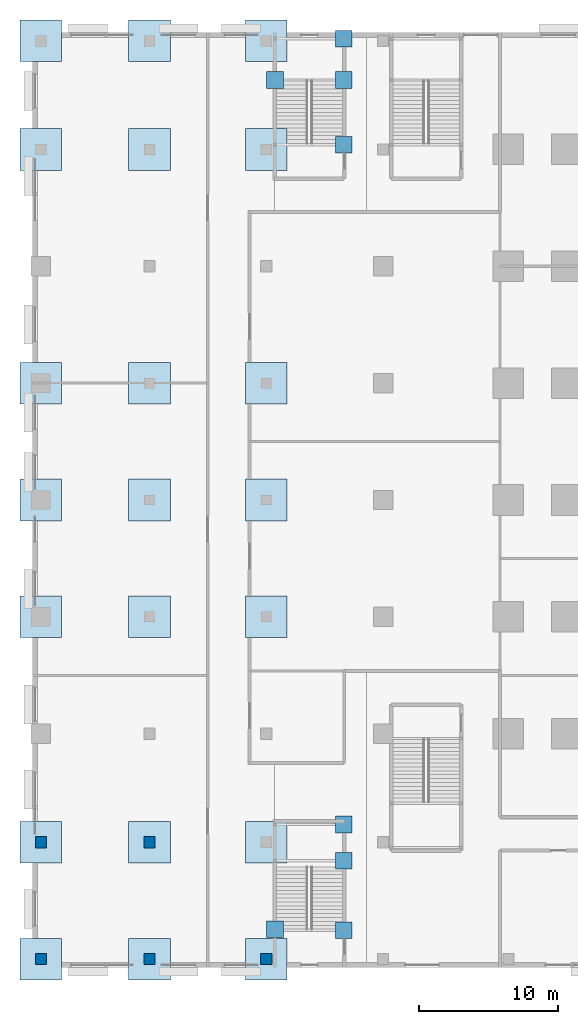
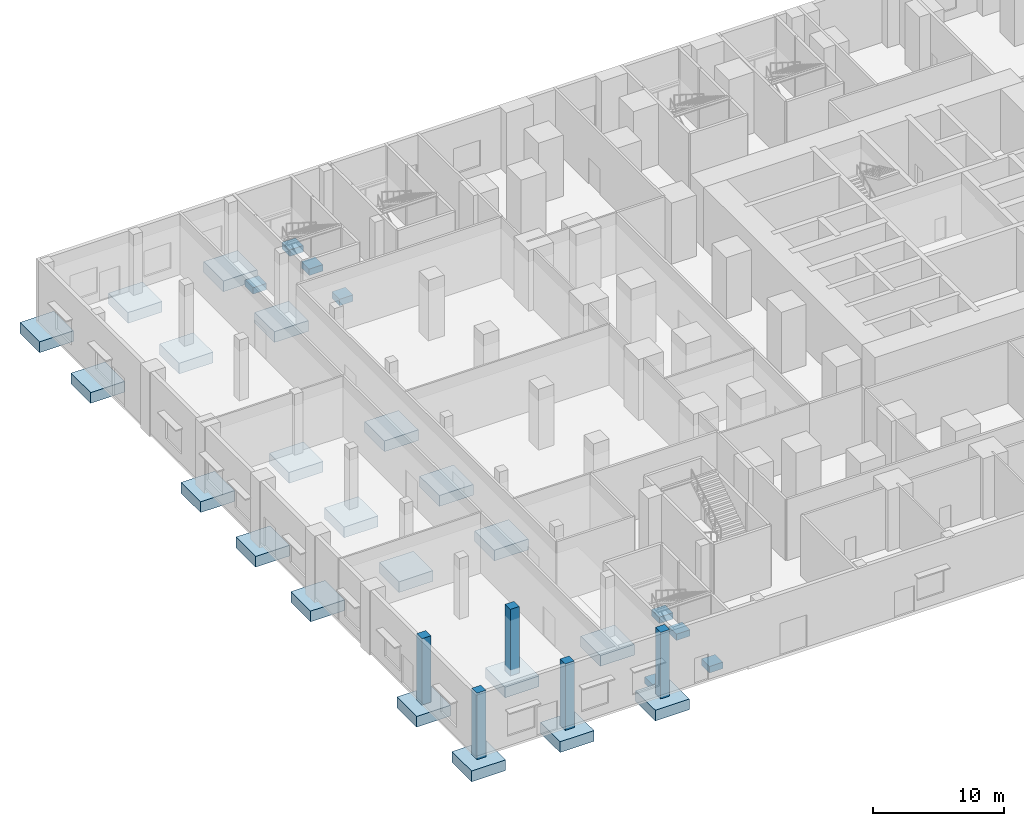
# One storey, part 1 of 26: 29 footings, 5 columns.
"""IFC4 building model written with IfcOpenShell, lengths in metres."""

from ifc_helpers import new_model, si_unit, direction, frame, origin, origin_2d, place, context, subcontext, project, spatial, rectangle, extrude, material, material_profile, profile_set, type_object, element, save


model = new_model("IFC4")

# Units and contexts
model_context = context("Model", 3, precision=1e-05, world=origin(), true_north=direction((0.0, 1.0)))
body_context = subcontext(model_context, "Body", "Model", "MODEL_VIEW")
ifc_project = project(units=[si_unit("LENGTHUNIT", "METRE"), si_unit("AREAUNIT", "SQUARE_METRE"), si_unit("VOLUMEUNIT", "CUBIC_METRE"), si_unit("PLANEANGLEUNIT", "RADIAN"), si_unit("MASSUNIT", "GRAM", prefix="KILO")], contexts=[model_context])

# Site, building, storey
site_placement = place(None, origin())
site = spatial("IfcSite", under=ifc_project, at=site_placement, CompositionType="ELEMENT")
building_placement = place(site_placement, origin())
building = spatial("IfcBuilding", under=site, at=building_placement, Name="Dunama Terrace Hotel", CompositionType="ELEMENT")
storey_placement = place(building_placement, origin())
storey = spatial("IfcBuildingStorey", under=building, at=storey_placement, Name="L00", CompositionType="ELEMENT", Elevation=0.0)

# Footings
ifc_material_1 = material(Name="Concrete C40/50", Category="concrete")
footing_type_1 = type_object("IfcFootingType", Name="Pad footing 1200", PredefinedType="PAD_FOOTING", material=ifc_material_1)
for number, where, z_axis, x_axis, name in (
    (1, (-11.22509765625, 50.742431640625, -1.10009765625), (0.0, 0.0, 1.0), (1.0, 0.0, 0.0), "Pad footing under stair post P1 -11.22/+50.74"),
    (2, (-16.175048828125, 55.387451171875, -1.10009765625), (0.0, 0.0, 1.0), (1.0, 0.0, 0.0), "Pad footing under stair post P1 -16.18/+55.39"),
    (3, (-11.22509765625, 55.387451171875, -1.10009765625), (0.0, 0.0, 1.0), (1.0, 0.0, 0.0), "Pad footing under stair post P1 -11.22/+55.39"),
    (4, (-11.22509765625, 58.35009765625, -1.10009765625), (0.0, 0.0, 1.0), (1.0, 0.0, 0.0), "Pad footing under stair post P1 -11.22/+58.35"),
    (5, (-16.175048828125, -5.64990234375, -1.10009765625), (0.0, 0.0, 1.0), (1.0, 0.0, 0.0), "Pad footing under stair post P2 -16.18/-5.73"),
    (6, (-11.22509765625, -5.732421875, -1.10009765625), (0.0, 0.0, 1.0), (1.0, 0.0, 0.0), "Pad footing under stair post P2 -11.22/-5.73"),
    (7, (-11.22509765625, -0.737548828125, -1.10009765625), (0.0, 0.0, 1.0), (1.0, 0.0, 0.0), "Pad footing under stair post P2 -11.22/-0.74"),
    (8, (-11.22509765625, 1.875, -1.10009765625), (0.0, 0.0, 1.0), (1.0, 0.0, 0.0), "Pad footing under stair post P2 -11.22/+1.88"),
):
    element("IfcFooting", number, at=place(storey_placement, frame(where, z_axis=z_axis, x_axis=x_axis)), inside=storey, type_object=footing_type_1, Name=name, PredefinedType="PAD_FOOTING", context=body_context, shape_type="SweptSolid", body=[
        extrude(rectangle(XDim=1.199951171875, YDim=1.199951171875, at=origin_2d()), origin(), (0.0, 0.0, 1.0), 0.60009765625),
    ])
ifc_material_2 = material(Name="Concrete C40/50", Category="concrete")
footing_type_2 = type_object("IfcFootingType", Name="Pad footing 3000", PredefinedType="PAD_FOOTING", material=ifc_material_2)
for number, where, z_axis, x_axis, name in (
    (9, (-33.0, -7.800048828125, -1.5), (0.0, 0.0, 1.0), (1.0, 0.0, 0.0), "Pad footing under column -33.0/-7.8"),
    (10, (-33.0, 0.60009765625, -1.5), (0.0, 0.0, 1.0), (1.0, 0.0, 0.0), "Pad footing under column -33.0/+0.6"),
    (11, (-33.0, 16.800048828125, -1.5), (0.0, 0.0, 1.0), (1.0, 0.0, 0.0), "Pad footing under column -33.0/+16.8"),
    (12, (-33.0, 25.199951171875, -1.5), (0.0, 0.0, 1.0), (1.0, 0.0, 0.0), "Pad footing under column -33.0/+25.2"),
    (13, (-33.0, 33.60009765625, -1.5), (0.0, 0.0, 1.0), (1.0, 0.0, 0.0), "Pad footing under column -33.0/+33.6"),
    (14, (-33.0, 50.39990234375, -1.5), (0.0, 0.0, 1.0), (1.0, 0.0, 0.0), "Pad footing under column -33.0/+50.4"),
    (15, (-33.0, 58.199951171875, -1.5), (0.0, 0.0, 1.0), (1.0, 0.0, 0.0), "Pad footing under column -33.0/+58.2"),
    (16, (-25.199951171875, -7.800048828125, -1.5), (0.0, 0.0, 1.0), (1.0, 0.0, 0.0), "Pad footing under column -25.2/-7.8"),
    (17, (-25.199951171875, 0.60009765625, -1.5), (0.0, 0.0, 1.0), (1.0, 0.0, 0.0), "Pad footing under column -25.2/+0.6"),
    (18, (-25.199951171875, 16.800048828125, -1.5), (0.0, 0.0, 1.0), (1.0, 0.0, 0.0), "Pad footing under column -25.2/+16.8"),
    (19, (-25.199951171875, 25.199951171875, -1.5), (0.0, 0.0, 1.0), (1.0, 0.0, 0.0), "Pad footing under column -25.2/+25.2"),
    (20, (-25.199951171875, 33.60009765625, -1.5), (0.0, 0.0, 1.0), (1.0, 0.0, 0.0), "Pad footing under column -25.2/+33.6"),
    (21, (-25.199951171875, 50.39990234375, -1.5), (0.0, 0.0, 1.0), (1.0, 0.0, 0.0), "Pad footing under column -25.2/+50.4"),
    (22, (-25.199951171875, 58.199951171875, -1.5), (0.0, 0.0, 1.0), (1.0, 0.0, 0.0), "Pad footing under column -25.2/+58.2"),
    (23, (-16.800048828125, -7.800048828125, -1.5), (0.0, 0.0, 1.0), (1.0, 0.0, 0.0), "Pad footing under column -16.8/-7.8"),
    (24, (-16.800048828125, 0.60009765625, -1.5), (0.0, 0.0, 1.0), (1.0, 0.0, 0.0), "Pad footing under column -16.8/+0.6"),
    (25, (-16.800048828125, 16.800048828125, -1.5), (0.0, 0.0, 1.0), (1.0, 0.0, 0.0), "Pad footing under column -16.8/+16.8"),
    (26, (-16.800048828125, 25.199951171875, -1.5), (0.0, 0.0, 1.0), (1.0, 0.0, 0.0), "Pad footing under column -16.8/+25.2"),
    (27, (-16.800048828125, 33.60009765625, -1.5), (0.0, 0.0, 1.0), (1.0, 0.0, 0.0), "Pad footing under column -16.8/+33.6"),
    (28, (-16.800048828125, 50.39990234375, -1.5), (0.0, 0.0, 1.0), (1.0, 0.0, 0.0), "Pad footing under column -16.8/+50.4"),
    (29, (-16.800048828125, 58.199951171875, -1.5), (0.0, 0.0, 1.0), (1.0, 0.0, 0.0), "Pad footing under column -16.8/+58.2"),
):
    element("IfcFooting", number, at=place(storey_placement, frame(where, z_axis=z_axis, x_axis=x_axis)), inside=storey, type_object=footing_type_2, Name=name, PredefinedType="PAD_FOOTING", context=body_context, shape_type="SweptSolid", body=[
        extrude(rectangle(XDim=3.0, YDim=3.0, at=origin_2d()), origin(), (0.0, 0.0, 1.0), 1.0),
    ])

# Columns
ifc_material_3 = material(Name="Concrete C40/50", Category="concrete")
ifc_material_profile = material_profile(ifc_material_3, rectangle(XDim=0.800048828125, YDim=0.800048828125, at=origin_2d()), Name="RC 800x800")
ifc_profile_set = profile_set([ifc_material_profile], Name="Concrete C40/50")
column_type = type_object("IfcColumnType", Name="Column RC 800x800", PredefinedType="COLUMN", material=ifc_profile_set)
for number, where, z_axis, x_axis, name in (
    (30, (-33.0, -7.800048828125, -0.5), (0.0, 0.0, 1.0), (1.0, 0.0, 0.0), "Column L00 -33.0/-7.8"),
    (31, (-33.0, 0.60009765625, -0.5), (0.0, 0.0, 1.0), (1.0, 0.0, 0.0), "Column L00 -33.0/+0.6"),
    (32, (-25.199951171875, -7.800048828125, -0.5), (0.0, 0.0, 1.0), (1.0, 0.0, 0.0), "Column L00 -25.2/-7.8"),
    (33, (-25.199951171875, 0.60009765625, -0.5), (0.0, 0.0, 1.0), (1.0, 0.0, 0.0), "Column L00 -25.2/+0.6"),
    (34, (-16.800048828125, -7.800048828125, -0.5), (0.0, 0.0, 1.0), (1.0, 0.0, 0.0), "Column L00 -16.8/-7.8"),
):
    element("IfcColumn", number, at=place(storey_placement, frame(where, z_axis=z_axis, x_axis=x_axis)), inside=storey, type_object=column_type, Name=name, PredefinedType="COLUMN", context=body_context, shape_type="SweptSolid", body=[
        extrude(rectangle(XDim=0.800048828125, YDim=0.800048828125, at=origin_2d()), origin(), (0.0, 0.0, 1.0), 6.199951171875),
    ])

save(model, "model.ifc")
